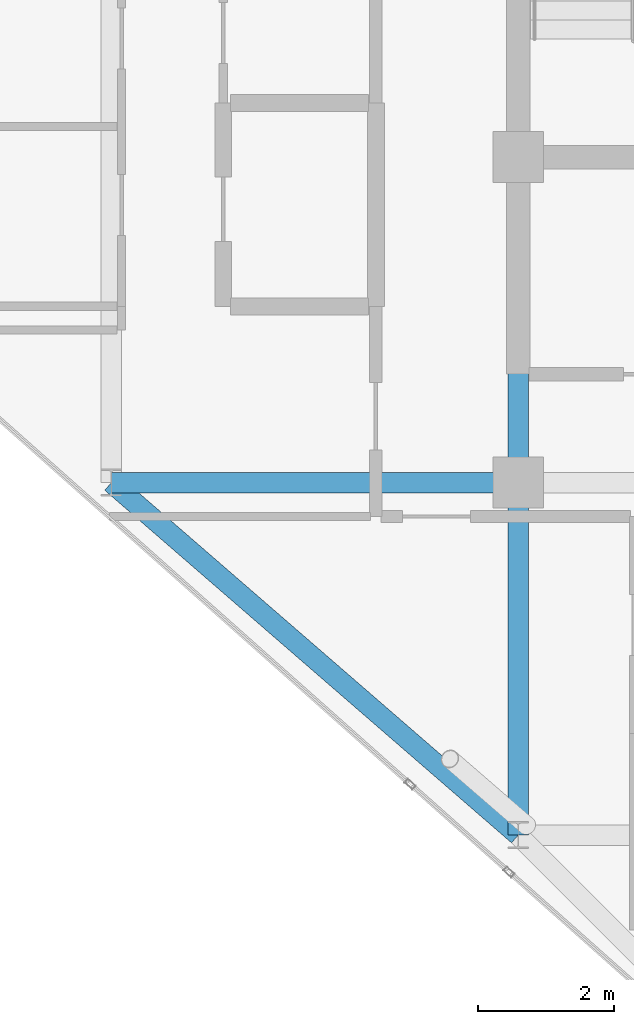
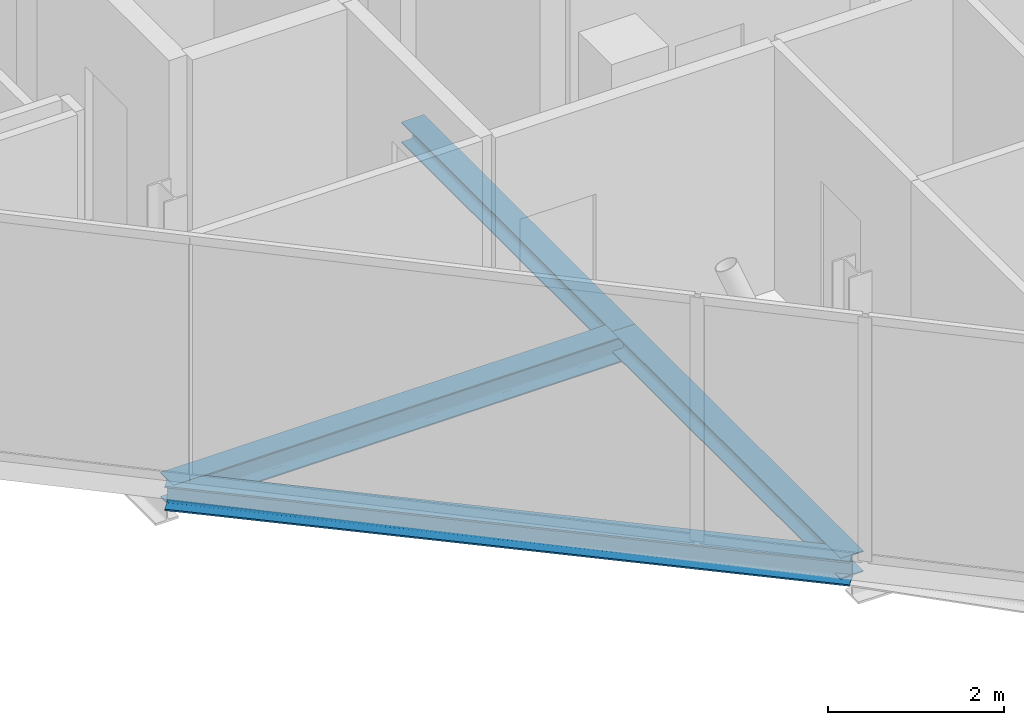
# One storey, part 5 of 31: 4 beams.
"""IFC4 building model written with IfcOpenShell, lengths in metres."""

import ifcopenshell
import ifcopenshell.guid

model = None  # the IFC model being written
_history = None  # IfcOwnerHistory: only IFC2X3 demands one
_inside = {}  # id of a spatial element -> (the spatial element, [elements in it])
_under = {}  # id of a project, library or spatial element -> (it, [spatial elements below it])
_declared = {}  # id of a project -> (the project, [libraries it declares])
_typed = {}  # id of a type object -> (the type object, [elements of that type])
_made_of = {}  # id of a material, layer set ... -> (it, [elements and type objects made of it])


def new_model(schema):
    """Start an empty IFC model of exactly this schema.

    Asked for "IFC4X3", IfcOpenShell would pick the latest addendum, in which some entities
    have other attributes; the version numbers below select the first issue.
    IFC2X3 requires an IfcOwnerHistory on every rooted entity: one is made here for all.
    """
    global model, _history
    if schema == "IFC4X3":
        model = ifcopenshell.file(schema_version=(4, 3, 0, 0))
    else:
        model = ifcopenshell.file(schema=schema)
    _inside.clear()
    _under.clear()
    _declared.clear()
    _typed.clear()
    _made_of.clear()
    _history = None
    if model.schema == "IFC2X3":
        org = make("IfcOrganization", Name="unknown")
        user = make(
            "IfcPersonAndOrganization",
            ThePerson=make("IfcPerson", FamilyName="unknown"),
            TheOrganization=org,
        )
        app = make(
            "IfcApplication",
            ApplicationDeveloper=org,
            Version="unknown",
            ApplicationFullName="unknown",
            ApplicationIdentifier="unknown",
        )
        _history = make(
            "IfcOwnerHistory",
            OwningUser=user,
            OwningApplication=app,
            ChangeAction="ADDED",
            CreationDate=0,
        )
    return model


def make(cls, **values):
    """One entity of the class cls with the attributes given. An attribute that is None is left unset."""
    return model.create_entity(
        cls, **{name: value for name, value in values.items() if value is not None}
    )


def rooted(cls, **values):
    """An entity with a GlobalId (a new one), such as an element, a storey or a relation."""
    return make(cls, GlobalId=ifcopenshell.guid.new(), OwnerHistory=_history, **values)


def si_unit(unit_type, name, prefix=None):
    """IfcSIUnit, for example si_unit("LENGTHUNIT", "METRE", prefix="MILLI")."""
    return make("IfcSIUnit", UnitType=unit_type, Prefix=prefix, Name=name)


def assignment(units):
    """IfcUnitAssignment: the units of a project."""
    return None if units is None else make("IfcUnitAssignment", Units=units)


def point(xyz):
    """IfcCartesianPoint."""
    return None if xyz is None else make("IfcCartesianPoint", Coordinates=xyz)


def direction(xyz):
    """IfcDirection."""
    return None if xyz is None else make("IfcDirection", DirectionRatios=xyz)


def frame(location, z_axis=None, x_axis=None):
    """IfcAxis2Placement3D, a coordinate frame: its origin and axes. An axis left out is left unset."""
    return make(
        "IfcAxis2Placement3D",
        Location=point(location),
        Axis=direction(z_axis),
        RefDirection=direction(x_axis),
    )


def frame_2d(location, x_axis=None):
    """IfcAxis2Placement2D, a coordinate frame in the plane: its origin and x axis."""
    return make(
        "IfcAxis2Placement2D", Location=point(location), RefDirection=direction(x_axis)
    )


def origin():
    """The frame at (0, 0, 0) with its axes left unset."""
    return frame((0.0, 0.0, 0.0))


def origin_2d():
    """The frame at (0, 0) in the plane with its x axis left unset."""
    return frame_2d((0.0, 0.0))


def place(relative_to, where):
    """IfcLocalPlacement: puts the frame where relative to a parent placement (None: the world)."""
    return make(
        "IfcLocalPlacement", PlacementRelTo=relative_to, RelativePlacement=where
    )


def context(
    kind, dimensions, precision=None, world=None, true_north=None, identifier=None
):
    """IfcGeometricRepresentationContext, for example the 3D "Model" context."""
    return make(
        "IfcGeometricRepresentationContext",
        ContextIdentifier=identifier,
        ContextType=kind,
        CoordinateSpaceDimension=dimensions,
        Precision=precision,
        WorldCoordinateSystem=world,
        TrueNorth=true_north,
    )


def subcontext(parent, identifier, kind, view, scale=None):
    """IfcGeometricRepresentationSubContext, for example "Body" below "Model"."""
    return make(
        "IfcGeometricRepresentationSubContext",
        ContextIdentifier=identifier,
        ContextType=kind,
        ParentContext=parent,
        TargetScale=scale,
        TargetView=view,
    )


def project(units=None, contexts=None):
    """IfcProject with its units and contexts."""
    return rooted(
        "IfcProject",
        Name="project",
        RepresentationContexts=contexts,
        UnitsInContext=assignment(units),
    )


def spatial(cls, under=None, at=None, **own):
    """A site, building, storey or space (cls), placed at a placement, below another one or the project."""
    s = rooted(cls, ObjectPlacement=at, **own)
    if under is not None:
        _under.setdefault(under.id(), (under, []))[1].append(s)
    return s


def profile(cls, at=None, kind="AREA", **sizes):
    """A parametric profile (cls). Its sizes go by their IFC names, for example OverallWidth=200.0."""
    return make(cls, ProfileType=kind, Position=at, **sizes)


def i_section(**sizes):
    """IfcIShapeProfileDef."""
    return profile("IfcIShapeProfileDef", **sizes)


def extrude(swept, where, along, depth):
    """IfcExtrudedAreaSolid: the profile swept, set in the frame where, extruded along a direction by depth."""
    return make(
        "IfcExtrudedAreaSolid",
        SweptArea=swept,
        Position=where,
        ExtrudedDirection=direction(along),
        Depth=depth,
    )


def shape(context_of_items, identifier, shape_type, items):
    """IfcShapeRepresentation: the items that make up one representation, for example the "Body"."""
    return make(
        "IfcShapeRepresentation",
        ContextOfItems=context_of_items,
        RepresentationIdentifier=identifier,
        RepresentationType=shape_type,
        Items=items,
    )


def material(Name=None, Category=None):
    """IfcMaterial."""
    return make("IfcMaterial", Name=Name, Category=Category)


def material_profile(
    of_material, cross_section, Name=None, Category=None, Priority=None
):
    """IfcMaterialProfile: a cross section and its material."""
    return make(
        "IfcMaterialProfile",
        Name=Name,
        Material=of_material,
        Profile=cross_section,
        Priority=Priority,
        Category=Category,
    )


def profile_set(profiles, Name=None, composite=None):
    """IfcMaterialProfileSet."""
    return make(
        "IfcMaterialProfileSet",
        Name=Name,
        MaterialProfiles=profiles,
        CompositeProfile=composite,
    )


def made_of(thing, what):
    """Note that an element or type object is made of a material, layer set ...; save() writes the relation."""
    if what is not None:
        _made_of.setdefault(what.id(), (what, []))[1].append(thing)
    return thing


def type_object(cls, material=None, **own):
    """A type object (cls), such as IfcWallType, which elements share."""
    return made_of(rooted(cls, **own), material)


def element(
    cls,
    number,
    at=None,
    inside=None,
    cuts=None,
    type_object=None,
    material=None,
    context=None,
    identifier="Body",
    shape_type=None,
    held_by="IfcProductDefinitionShape",
    body=None,
    shapes=None,
    **own,
):
    """One element of the class cls, such as IfcWall. Its Tag is "e" and its number.

    at: its placement. inside: the storey or other place that contains it. cuts: it is an
    opening in that element (IfcRelVoidsElement). A single representation is given by context,
    identifier, shape_type and body (its items); several are given by shapes. held_by: the class
    of the entity that holds the representations. save() writes the other relations.
    """
    e = rooted(cls, Tag="e%d" % number, ObjectPlacement=at, **own)
    if body is not None:
        shapes = [shape(context, identifier, shape_type, body)]
    if shapes is not None:
        e.Representation = make(held_by, Representations=shapes)
    if inside is not None:
        _inside.setdefault(inside.id(), (inside, []))[1].append(e)
    if cuts is not None:
        rooted(
            "IfcRelVoidsElement", RelatingBuildingElement=cuts, RelatedOpeningElement=e
        )
    if type_object is not None:
        _typed.setdefault(type_object.id(), (type_object, []))[1].append(e)
    return made_of(e, material)


def aggregate(whole, parts):
    """IfcRelAggregates: a whole, such as a stair, and the parts it consists of."""
    return rooted("IfcRelAggregates", RelatingObject=whole, RelatedObjects=parts)


def save(model, path):
    """Write the relations noted so far, then the file.

    IfcRelAggregates (storeys below a building ...), IfcRelContainedInSpatialStructure (elements
    in a storey), IfcRelDefinesByType, IfcRelAssociatesMaterial and IfcRelDeclares: one each for
    every whole, place, type object, material and project.
    """
    for whole, parts in _under.values():
        aggregate(whole, parts)
    for where, things in _inside.values():
        rooted(
            "IfcRelContainedInSpatialStructure",
            RelatedElements=things,
            RelatingStructure=where,
        )
    for kind, things in _typed.values():
        rooted("IfcRelDefinesByType", RelatedObjects=things, RelatingType=kind)
    for what, things in _made_of.values():
        rooted("IfcRelAssociatesMaterial", RelatedObjects=things, RelatingMaterial=what)
    for by, libraries in _declared.values():
        rooted("IfcRelDeclares", RelatingContext=by, RelatedDefinitions=libraries)
    model.write(path)


model = new_model("IFC4")

# Units and contexts
model_context = context("Model", 3, precision=1e-05, world=origin(), true_north=direction((0.0, 1.0)))
body_context = subcontext(model_context, "Body", "Model", "MODEL_VIEW")
ifc_project = project(units=[si_unit("LENGTHUNIT", "METRE"), si_unit("AREAUNIT", "SQUARE_METRE"), si_unit("VOLUMEUNIT", "CUBIC_METRE"), si_unit("PLANEANGLEUNIT", "RADIAN"), si_unit("MASSUNIT", "GRAM", prefix="KILO")], contexts=[model_context])

# Site, building, storey
site_placement = place(None, origin())
site = spatial("IfcSite", under=ifc_project, at=site_placement, CompositionType="ELEMENT")
building_placement = place(site_placement, origin())
building = spatial("IfcBuilding", under=site, at=building_placement, Name="Keshet Zoharim Tower", CompositionType="ELEMENT")
storey_placement = place(building_placement, frame((0.0, 0.0, 276.89990234375)))
storey = spatial("IfcBuildingStorey", under=building, at=storey_placement, Name="L69", CompositionType="ELEMENT", Elevation=276.89990234375)

# Beams
ifc_material = material(Name="Steel S355", Category="steel")
ifc_material_profile_1 = material_profile(ifc_material, i_section(OverallWidth=0.300048828125, OverallDepth=0.2900390625, WebThickness=0.008544921875, FlangeThickness=0.013916015625, FilletRadius=0.027099609375, at=origin_2d()), Name="HEA300")
ifc_profile_set_1 = profile_set([ifc_material_profile_1], Name="Steel S355")
beam_type_1 = type_object("IfcBeamType", Name="BM-PRI-HA300", PredefinedType="BEAM", material=ifc_profile_set_1)
beam_1_placement = place(storey_placement, frame((15.0, 12.699951171875, -0.454833984375), z_axis=(0.0, 1.0, 0.0), x_axis=(-1.0, 0.0, 0.0)))
element("IfcBeam", 1, at=beam_1_placement, inside=storey, type_object=beam_type_1, Name="L69 Primary Girder Y-002", PredefinedType="BEAM", context=body_context, shape_type="SweptSolid", body=[
    extrude(i_section(OverallWidth=0.300048828125, OverallDepth=0.2900390625, WebThickness=0.008544921875, FlangeThickness=0.013916015625, FilletRadius=0.027099609375, at=origin_2d()), origin(), (0.0, 0.0, 1.0), 5.199951171875),
])
beam_2_placement = place(storey_placement, frame((15.0, 17.89990234375, -0.454833984375), z_axis=(0.0, 1.0, 0.0), x_axis=(-1.0, 0.0, 0.0)))
element("IfcBeam", 2, at=beam_2_placement, inside=storey, type_object=beam_type_1, Name="L69 Primary Girder Y-003", PredefinedType="BEAM", context=body_context, shape_type="SweptSolid", body=[
    extrude(i_section(OverallWidth=0.300048828125, OverallDepth=0.2900390625, WebThickness=0.008544921875, FlangeThickness=0.013916015625, FilletRadius=0.027099609375, at=origin_2d()), origin(), (0.0, 0.0, 1.0), 4.800048828125),
])
ifc_material_profile_2 = material_profile(ifc_material, i_section(OverallWidth=0.300048828125, OverallDepth=0.35009765625, WebThickness=0.010009765625, FlangeThickness=0.017578125, FilletRadius=0.027099609375, at=origin_2d()), Name="HEA360")
ifc_profile_set_2 = profile_set([ifc_material_profile_2], Name="Steel S355")
beam_type_2 = type_object("IfcBeamType", Name="BM-PRI-HA360", PredefinedType="BEAM", material=ifc_profile_set_2)
beam_3_placement = place(storey_placement, frame((9.0, 17.89990234375, -0.48486328125), z_axis=(1.0, 0.0, 0.0), x_axis=(0.0, 1.0, 0.0)))
element("IfcBeam", 3, at=beam_3_placement, inside=storey, type_object=beam_type_2, Name="L69 Primary Girder X-005", PredefinedType="BEAM", context=body_context, shape_type="SweptSolid", body=[
    extrude(i_section(OverallWidth=0.300048828125, OverallDepth=0.35009765625, WebThickness=0.010009765625, FlangeThickness=0.017578125, FilletRadius=0.027099609375, at=origin_2d()), origin(), (0.0, 0.0, 1.0), 6.0),
])
ifc_material_profile_3 = material_profile(ifc_material, i_section(OverallWidth=0.300048828125, OverallDepth=0.340087890625, WebThickness=0.011962890625, FlangeThickness=0.021484375, FilletRadius=0.027099609375, at=origin_2d()), Name="HEB340")
ifc_profile_set_3 = profile_set([ifc_material_profile_3], Name="Steel S355")
beam_type_3 = type_object("IfcBeamType", Name="BM-SPN-HB340", PredefinedType="SPANDREL", material=ifc_profile_set_3)
beam_4_placement = place(storey_placement, frame((9.0, 17.89990234375, -0.47998046875), z_axis=(0.755692126483, -0.654927026447, 0.0), x_axis=(0.654927026447, 0.755692126483, 0.0)))
element("IfcBeam", 4, at=beam_4_placement, inside=storey, type_object=beam_type_3, Name="L69 Perimeter Spandrel Beam 02", PredefinedType="SPANDREL", context=body_context, shape_type="SweptSolid", body=[
    extrude(i_section(OverallWidth=0.300048828125, OverallDepth=0.340087890625, WebThickness=0.011962890625, FlangeThickness=0.021484375, FilletRadius=0.027099609375, at=origin_2d()), origin(), (0.0, 0.0, 1.0), 7.939697265625),
])

save(model, "model.ifc")
